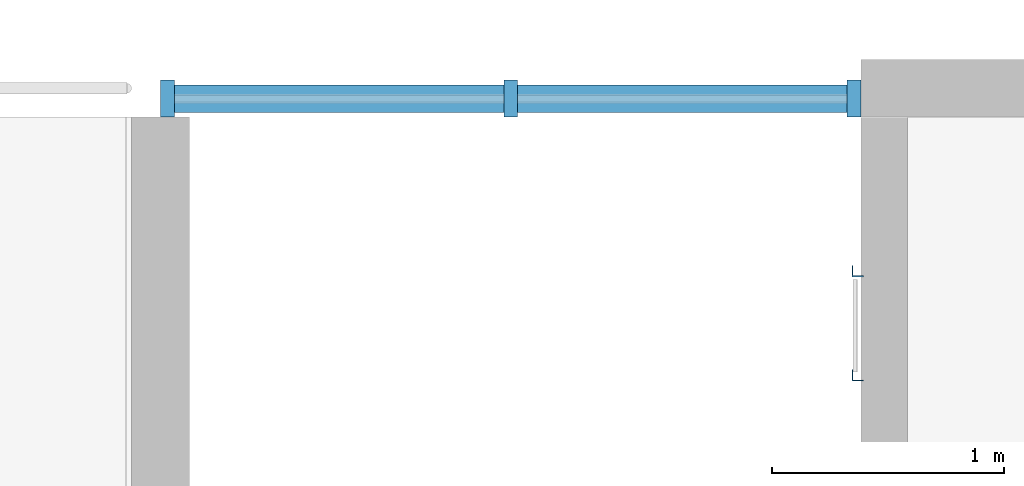
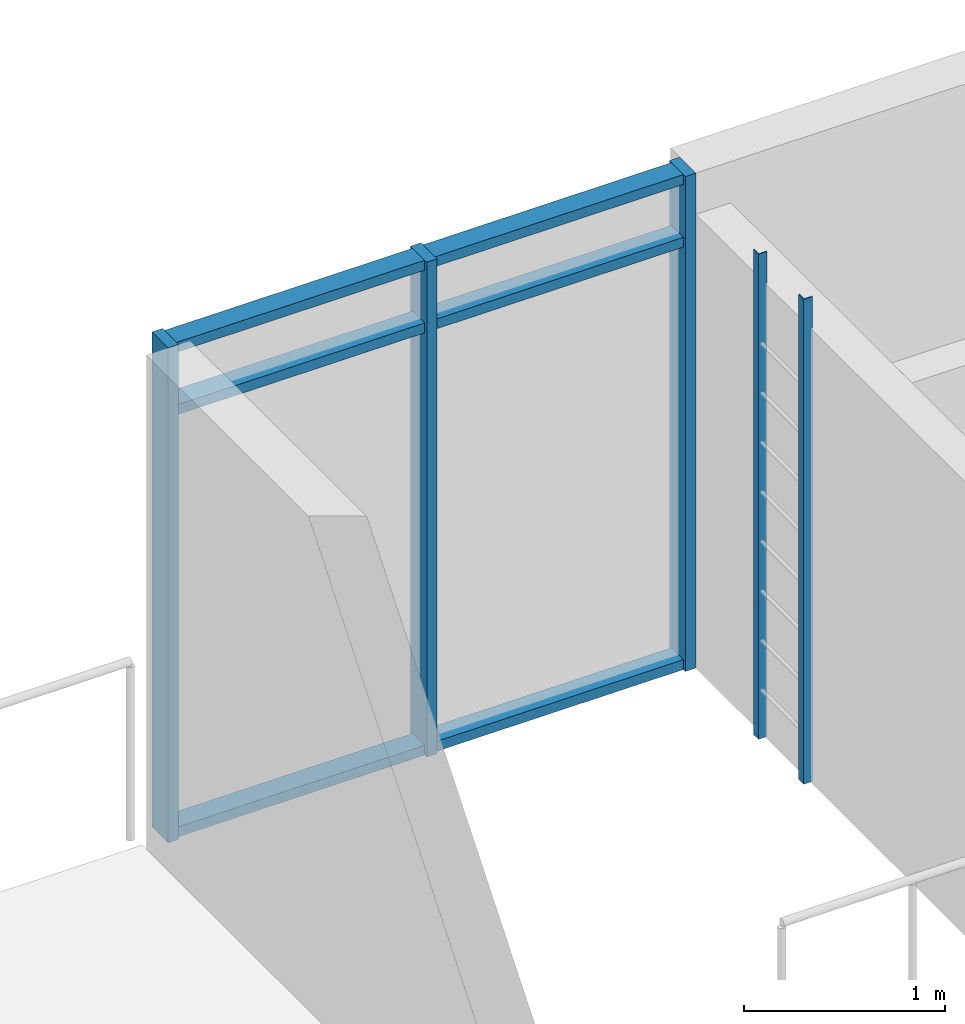
# One storey, part 13 of 78: 11 members, 1 element without a shape of its own.
"""IFC4 building model written with IfcOpenShell, lengths in metres."""

from ifc_helpers import new_model, si_unit, direction, frame, origin, origin_2d, place, context, subcontext, project, spatial, polyline, rectangle, outline, extrude, material, material_profile, profile_set, type_object, element, aggregate, save


model = new_model("IFC4")

# Units and contexts
model_context = context("Model", 3, precision=1e-05, world=origin(), true_north=direction((0.0, 1.0)))
body_context = subcontext(model_context, "Body", "Model", "MODEL_VIEW")
ifc_project = project(units=[si_unit("LENGTHUNIT", "METRE"), si_unit("AREAUNIT", "SQUARE_METRE"), si_unit("VOLUMEUNIT", "CUBIC_METRE"), si_unit("PLANEANGLEUNIT", "RADIAN"), si_unit("MASSUNIT", "GRAM", prefix="KILO")], contexts=[model_context])

# Site, building, storey
site_placement = place(None, origin())
site = spatial("IfcSite", under=ifc_project, at=site_placement, CompositionType="ELEMENT")
building_placement = place(site_placement, origin())
building = spatial("IfcBuilding", under=site, at=building_placement, Name="Ridgestep Commons", CompositionType="ELEMENT")
storey_placement = place(building_placement, frame((0.0, 0.0, 30.0)))
storey = spatial("IfcBuildingStorey", under=building, at=storey_placement, Name="L10", CompositionType="ELEMENT", Elevation=30.0)

# Members
ifc_material_1 = material(Name="Structural steel S355JR", Category="steel")
ifc_material_profile_1 = material_profile(ifc_material_1, outline(polyline([(-0.014404296875, -0.014404296875), (0.03564453125, -0.014404296875), (0.03564453125, -0.00927734375), (-0.00927734375, -0.00927734375), (-0.00927734375, 0.03564453125), (-0.014404296875, 0.03564453125), (-0.014404296875, -0.014404296875)])), Name="EA 50x50x5")
ifc_profile_set_1 = profile_set([ifc_material_profile_1], Name="Structural steel S355JR")
member_type_1 = type_object("IfcMemberType", Name="Core ladder stile EA 50x50x5", PredefinedType="STRINGER", material=ifc_profile_set_1)
for number, where, z_axis, x_axis, name in (
    (1, (76.199951171875, 75.875, 0.0), (0.0, 0.0, 1.0), (1.0, 0.0, 0.0), "Ladder stile B4C.1"),
    (2, (76.199951171875, 76.324951171875, 0.0), (0.0, 0.0, 1.0), (1.0, 0.0, 0.0), "Ladder stile B4C.2"),
):
    element("IfcMember", number, at=place(storey_placement, frame(where, z_axis=z_axis, x_axis=x_axis)), inside=storey, type_object=member_type_1, Name=name, PredefinedType="STRINGER", context=body_context, shape_type="SweptSolid", body=[
        extrude(outline(polyline([(-0.014404296875, -0.014404296875), (0.03564453125, -0.014404296875), (0.03564453125, -0.00927734375), (-0.00927734375, -0.00927734375), (-0.00927734375, 0.03564453125), (-0.014404296875, 0.03564453125), (-0.014404296875, -0.014404296875)])), origin(), (0.0, 0.0, 1.0), 2.93994140625),
    ])

# Curtain wall, members
ifc_material_2 = material(Name="Aluminium 6063-T6 and glass", Category="aluminium")
curtain_wall_type = type_object("IfcCurtainWallType", Name="Curtain wall stair strip", PredefinedType="NOTDEFINED", material=ifc_material_2)
curtain_wall_placement = place(storey_placement, origin())
curtain_wall = element("IfcCurtainWall", 3, at=curtain_wall_placement, inside=storey, type_object=curtain_wall_type, Name="Curtain wall B4C level 10", PredefinedType="NOTDEFINED")
ifc_material_3 = material(Name="Aluminium 6063-T6", Category="aluminium")
ifc_material_profile_2 = material_profile(ifc_material_3, rectangle(XDim=0.159912109375, YDim=0.06005859375, at=origin_2d()), Name="Mullion 60 x 160")
ifc_profile_set_2 = profile_set([ifc_material_profile_2], Name="Aluminium 6063-T6")
member_type_2 = type_object("IfcMemberType", Name="Mullion 60 x 160", PredefinedType="MULLION", material=ifc_profile_set_2)
member_1_placement = place(storey_placement, frame((73.22998046875, 77.080078125, 0.0), z_axis=(0.0, 0.0, 1.0), x_axis=(0.0, 1.0, 0.0)))
member_1 = element("IfcMember", 4, at=member_1_placement, type_object=member_type_2, Name="CW1 mullion 1", PredefinedType="MULLION", context=body_context, shape_type="SweptSolid", body=[
    extrude(rectangle(XDim=0.159912109375, YDim=0.06005859375, at=origin_2d()), origin(), (0.0, 0.0, 1.0), 3.0),
])
member_2_placement = place(storey_placement, frame((74.71240234375, 77.080078125, 0.0), z_axis=(0.0, 0.0, 1.0), x_axis=(0.0, 1.0, 0.0)))
member_2 = element("IfcMember", 5, at=member_2_placement, type_object=member_type_2, Name="CW1 mullion 2", PredefinedType="MULLION", context=body_context, shape_type="SweptSolid", body=[
    extrude(rectangle(XDim=0.159912109375, YDim=0.06005859375, at=origin_2d()), origin(), (0.0, 0.0, 1.0), 3.0),
])
member_3_placement = place(storey_placement, frame((76.195068359375, 77.080078125, 0.0), z_axis=(0.0, 0.0, 1.0), x_axis=(0.0, 1.0, 0.0)))
member_3 = element("IfcMember", 6, at=member_3_placement, type_object=member_type_2, Name="CW1 mullion 3", PredefinedType="MULLION", context=body_context, shape_type="SweptSolid", body=[
    extrude(rectangle(XDim=0.159912109375, YDim=0.06005859375, at=origin_2d()), origin(), (0.0, 0.0, 1.0), 3.0),
])
ifc_material_4 = material(Name="Aluminium 6063-T6", Category="aluminium")
ifc_material_profile_3 = material_profile(ifc_material_4, rectangle(XDim=0.1201171875, YDim=0.06005859375, at=origin_2d()), Name="Transom 60 x 120")
ifc_profile_set_3 = profile_set([ifc_material_profile_3], Name="Aluminium 6063-T6")
member_type_3 = type_object("IfcMemberType", Name="Transom 60 x 120", PredefinedType="USERDEFINED", material=ifc_profile_set_3)
member_4_placement = place(storey_placement, frame((73.260009765625, 77.080078125, 0.030029296875), z_axis=(1.0, 0.0, 0.0), x_axis=(0.0, 1.0, 0.0)))
member_4 = element("IfcMember", 7, at=member_4_placement, type_object=member_type_3, Name="CW1 transom 1.1", ObjectType="TRANSOM", PredefinedType="USERDEFINED", context=body_context, shape_type="SweptSolid", body=[
    extrude(rectangle(XDim=0.1201171875, YDim=0.06005859375, at=origin_2d()), origin(), (0.0, 0.0, 1.0), 1.422607421875),
])
member_5_placement = place(storey_placement, frame((73.260009765625, 77.080078125, 2.590087890625), z_axis=(1.0, 0.0, 0.0), x_axis=(0.0, 1.0, 0.0)))
member_5 = element("IfcMember", 8, at=member_5_placement, type_object=member_type_3, Name="CW1 transom 1.2", ObjectType="TRANSOM", PredefinedType="USERDEFINED", context=body_context, shape_type="SweptSolid", body=[
    extrude(rectangle(XDim=0.1201171875, YDim=0.06005859375, at=origin_2d()), origin(), (0.0, 0.0, 1.0), 1.422607421875),
])
member_6_placement = place(storey_placement, frame((73.260009765625, 77.080078125, 2.969970703125), z_axis=(1.0, 0.0, 0.0), x_axis=(0.0, 1.0, 0.0)))
member_6 = element("IfcMember", 9, at=member_6_placement, type_object=member_type_3, Name="CW1 transom 1.3", ObjectType="TRANSOM", PredefinedType="USERDEFINED", context=body_context, shape_type="SweptSolid", body=[
    extrude(rectangle(XDim=0.1201171875, YDim=0.06005859375, at=origin_2d()), origin(), (0.0, 0.0, 1.0), 1.422607421875),
])
member_7_placement = place(storey_placement, frame((74.742431640625, 77.080078125, 0.030029296875), z_axis=(1.0, 0.0, 0.0), x_axis=(0.0, 1.0, 0.0)))
member_7 = element("IfcMember", 10, at=member_7_placement, type_object=member_type_3, Name="CW1 transom 2.1", ObjectType="TRANSOM", PredefinedType="USERDEFINED", context=body_context, shape_type="SweptSolid", body=[
    extrude(rectangle(XDim=0.1201171875, YDim=0.06005859375, at=origin_2d()), origin(), (0.0, 0.0, 1.0), 1.422607421875),
])
member_8_placement = place(storey_placement, frame((74.742431640625, 77.080078125, 2.590087890625), z_axis=(1.0, 0.0, 0.0), x_axis=(0.0, 1.0, 0.0)))
member_8 = element("IfcMember", 11, at=member_8_placement, type_object=member_type_3, Name="CW1 transom 2.2", ObjectType="TRANSOM", PredefinedType="USERDEFINED", context=body_context, shape_type="SweptSolid", body=[
    extrude(rectangle(XDim=0.1201171875, YDim=0.06005859375, at=origin_2d()), origin(), (0.0, 0.0, 1.0), 1.422607421875),
])
member_9_placement = place(storey_placement, frame((74.742431640625, 77.080078125, 2.969970703125), z_axis=(1.0, 0.0, 0.0), x_axis=(0.0, 1.0, 0.0)))
member_9 = element("IfcMember", 12, at=member_9_placement, type_object=member_type_3, Name="CW1 transom 2.3", ObjectType="TRANSOM", PredefinedType="USERDEFINED", context=body_context, shape_type="SweptSolid", body=[
    extrude(rectangle(XDim=0.1201171875, YDim=0.06005859375, at=origin_2d()), origin(), (0.0, 0.0, 1.0), 1.422607421875),
])
aggregate(curtain_wall, [member_1, member_2, member_3, member_4, member_5, member_6, member_7, member_8, member_9])

save(model, "model.ifc")
